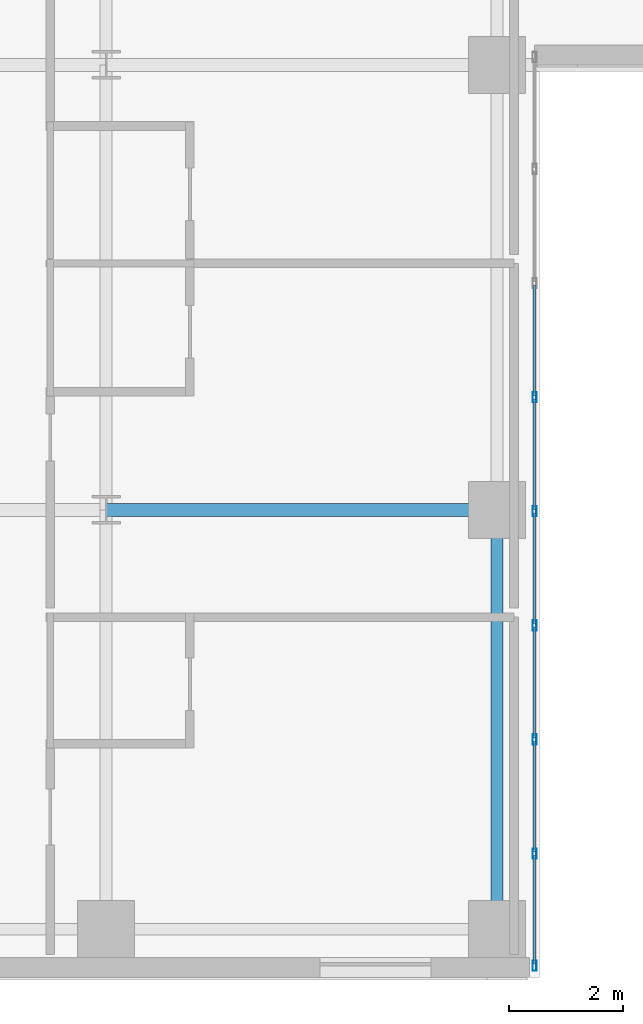
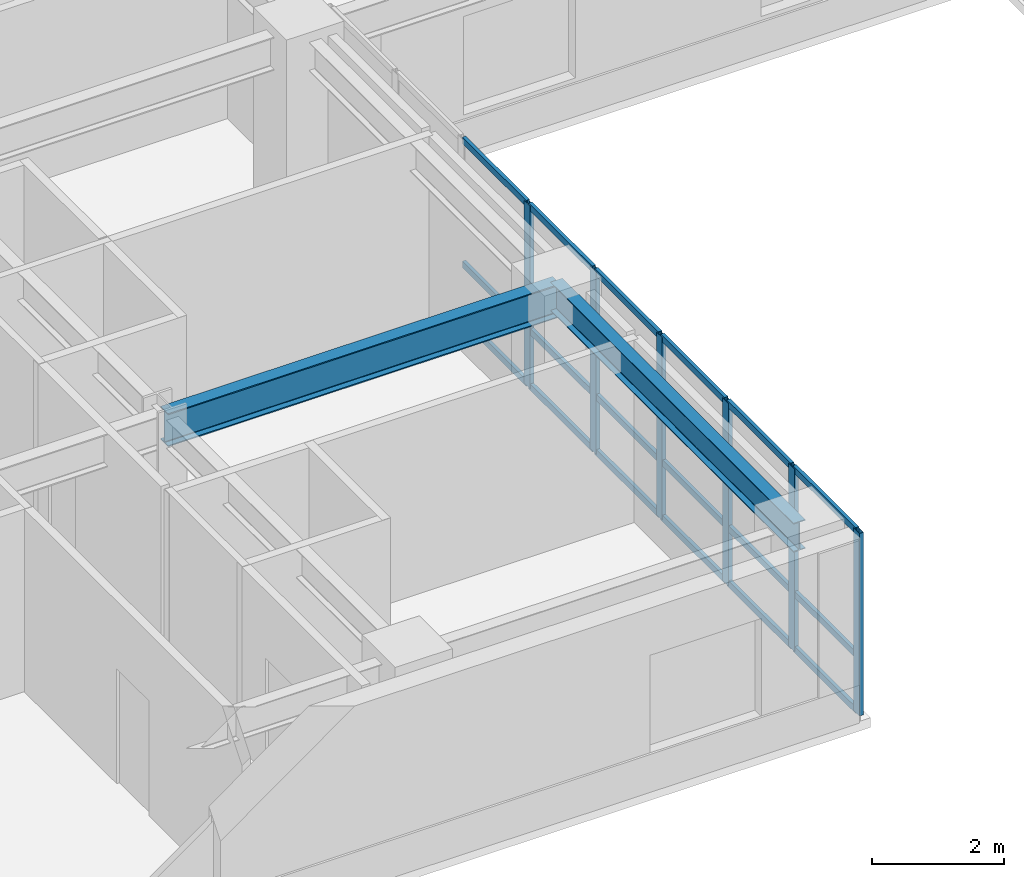
# One storey, part 2 of 24: 24 members, 2 beams, 1 element without a shape of its own.
"""IFC4 building model written with IfcOpenShell, lengths in metres."""

from ifc_helpers import new_model, si_unit, direction, frame, origin, origin_2d, place, context, subcontext, project, spatial, hollow_rectangle, i_section, extrude, source, transform, mapped, material, layer, layer_set, material_profile, profile_set, type_object, type_shapes, element, aggregate, save


model = new_model("IFC4")

# Units and contexts
model_context = context("Model", 3, precision=1e-05, world=origin(), true_north=direction((0.0, 1.0)))
body_context = subcontext(model_context, "Body", "Model", "MODEL_VIEW")
ifc_project = project(units=[si_unit("LENGTHUNIT", "METRE"), si_unit("AREAUNIT", "SQUARE_METRE"), si_unit("VOLUMEUNIT", "CUBIC_METRE"), si_unit("PLANEANGLEUNIT", "RADIAN"), si_unit("MASSUNIT", "GRAM", prefix="KILO")], contexts=[model_context])

# Site, building, storey
site_placement = place(None, origin())
site = spatial("IfcSite", under=ifc_project, at=site_placement, CompositionType="ELEMENT")
building_placement = place(site_placement, origin())
building = spatial("IfcBuilding", under=site, at=building_placement, Name="Tolvann Quenvar Hotel", CompositionType="ELEMENT")
storey_placement = place(building_placement, frame((0.0, 0.0, 67.5)))
storey = spatial("IfcBuildingStorey", under=building, at=storey_placement, Name="L16", CompositionType="ELEMENT", Elevation=67.5)

# Beams
ifc_material_1 = material(Name="Steel Grade 350", Category="steel")
ifc_material_profile_1 = material_profile(ifc_material_1, i_section(OverallWidth=0.22900390625, OverallDepth=0.612060546875, WebThickness=0.011962890625, FlangeThickness=0.01953125, FilletRadius=0.013916015625, at=origin_2d()), Name="610UB125")
ifc_profile_set_1 = profile_set([ifc_material_profile_1], Name="Steel Grade 350")
beam_type_1 = type_object("IfcBeamType", Name="BM_GIRD_610UB125", PredefinedType="BEAM", material=ifc_profile_set_1)
shared_shape_1 = source(origin(), body_context, "Body", "SweptSolid", [
    extrude(i_section(OverallWidth=0.22900390625, OverallDepth=0.612060546875, WebThickness=0.011962890625, FlangeThickness=0.01953125, FilletRadius=0.013916015625, at=origin_2d()), origin(), (0.0, 0.0, 1.0), 6.85009765625),
])
type_shapes(beam_type_1, [shared_shape_1])
beam_1_placement = place(storey_placement, frame((15.199951171875, 8.199951171875, 3.06396484375), z_axis=(1.0, 0.0, 0.0), x_axis=(0.0, 1.0, 0.0)))
element("IfcBeam", 1, at=beam_1_placement, inside=storey, type_object=beam_type_1, Name="BM-L16-EW-3-D3-E3", PredefinedType="BEAM", context=body_context, shape_type="MappedRepresentation", body=[
    mapped(shared_shape_1, transform((0.0, 0.0, 0.0), x_axis=(1.0, 0.0, 0.0), y_axis=(0.0, 1.0, 0.0), z_axis=(0.0, 0.0, 1.0), scale=1.0)),
])
ifc_material_profile_2 = material_profile(ifc_material_1, i_section(OverallWidth=0.208984375, OverallDepth=0.532958984375, WebThickness=0.01025390625, FlangeThickness=0.015625, FilletRadius=0.013916015625, at=origin_2d()), Name="530UB92")
ifc_profile_set_2 = profile_set([ifc_material_profile_2], Name="Steel Grade 350")
beam_type_2 = type_object("IfcBeamType", Name="BM_GIRD_530UB92", PredefinedType="BEAM", material=ifc_profile_set_2)
shared_shape_2 = source(origin(), body_context, "Body", "SweptSolid", [
    extrude(i_section(OverallWidth=0.208984375, OverallDepth=0.532958984375, WebThickness=0.01025390625, FlangeThickness=0.015625, FilletRadius=0.013916015625, at=origin_2d()), origin(), (0.0, 0.0, 1.0), 7.349853515625),
])
type_shapes(beam_type_2, [shared_shape_2])
beam_2_placement = place(storey_placement, frame((22.050048828125, 0.85009765625, 3.103515625), z_axis=(0.0, 1.0, 0.0), x_axis=(-1.0, 0.0, 0.0)))
element("IfcBeam", 2, at=beam_2_placement, inside=storey, type_object=beam_type_2, Name="BM-L16-NS-E2-E3", PredefinedType="BEAM", context=body_context, shape_type="MappedRepresentation", body=[
    mapped(shared_shape_2, transform((0.0, 0.0, 0.0), x_axis=(1.0, 0.0, 0.0), y_axis=(0.0, 1.0, 0.0), z_axis=(0.0, 0.0, 1.0), scale=1.0)),
])

# Curtain wall, members
ifc_material_2 = material(Name="Thermally broken anodised architectural aluminium 6063-T6 and laminated low-E glass", Category="aluminium")
ifc_layer = layer(ifc_material_2, 0.179931640625)
ifc_layer_set = layer_set([ifc_layer], Name="Thermally broken anodised architectural aluminium 6063-T6 and laminated low-E glass")
curtain_wall_type = type_object("IfcCurtainWallType", Name="CW_SYS_SLOT_03", PredefinedType="USERDEFINED", material=ifc_layer_set)
curtain_wall_placement = place(storey_placement, origin())
curtain_wall = element("IfcCurtainWall", 3, at=curtain_wall_placement, inside=storey, type_object=curtain_wall_type, Name="Curtain Wall CW-SLOT-03 (CWR-L16-E05)", ObjectType="UNITISED CURTAIN WALL", PredefinedType="USERDEFINED")
ifc_material_3 = material(Name="Anodised architectural aluminium 6063-T6 framing", Category="aluminium")
ifc_material_profile_3 = material_profile(ifc_material_3, hollow_rectangle(XDim=0.070068359375, YDim=0.179931640625, WallThickness=0.00390625, at=origin_2d()), Name="180x70x4RHS")
ifc_profile_set_3 = profile_set([ifc_material_profile_3], Name="Anodised architectural aluminium 6063-T6 framing")
member_type_1 = type_object("IfcMemberType", Name="CW_MULL_180x70", PredefinedType="MULLION", material=ifc_profile_set_3)
shared_shape_3 = source(origin(), body_context, "Body", "SweptSolid", [
    extrude(hollow_rectangle(XDim=0.070068359375, YDim=0.179931640625, WallThickness=0.00390625, at=origin_2d()), origin(), (0.0, 0.0, 1.0), 3.3701171875),
])
type_shapes(member_type_1, [shared_shape_3])
member_1_placement = place(storey_placement, frame((22.7099609375, 0.2099609375, 0.0), z_axis=(0.0, 0.0, 1.0), x_axis=(-1.0, 0.0, 0.0)))
member_1 = element("IfcMember", 4, at=member_1_placement, type_object=member_type_1, Name="CW-SLOT-03 mullion 1", PredefinedType="MULLION", context=body_context, shape_type="MappedRepresentation", body=[
    mapped(shared_shape_3, transform((0.0, 0.0, 0.0), x_axis=(1.0, 0.0, 0.0), y_axis=(0.0, 1.0, 0.0), z_axis=(0.0, 0.0, 1.0), scale=1.0)),
])
member_2_placement = place(storey_placement, frame((22.7099609375, 2.175048828125, 0.0), z_axis=(0.0, 0.0, 1.0), x_axis=(-1.0, 0.0, 0.0)))
member_2 = element("IfcMember", 5, at=member_2_placement, type_object=member_type_1, Name="CW-SLOT-03 mullion 2", PredefinedType="MULLION", context=body_context, shape_type="MappedRepresentation", body=[
    mapped(shared_shape_3, transform((0.0, 0.0, 0.0), x_axis=(1.0, 0.0, 0.0), y_axis=(0.0, 1.0, 0.0), z_axis=(0.0, 0.0, 1.0), scale=1.0)),
])
member_3_placement = place(storey_placement, frame((22.7099609375, 4.175048828125, 0.0), z_axis=(0.0, 0.0, 1.0), x_axis=(-1.0, 0.0, 0.0)))
member_3 = element("IfcMember", 6, at=member_3_placement, type_object=member_type_1, Name="CW-SLOT-03 mullion 3", PredefinedType="MULLION", context=body_context, shape_type="MappedRepresentation", body=[
    mapped(shared_shape_3, transform((0.0, 0.0, 0.0), x_axis=(1.0, 0.0, 0.0), y_axis=(0.0, 1.0, 0.0), z_axis=(0.0, 0.0, 1.0), scale=1.0)),
])
member_4_placement = place(storey_placement, frame((22.7099609375, 6.175048828125, 0.0), z_axis=(0.0, 0.0, 1.0), x_axis=(-1.0, 0.0, 0.0)))
member_4 = element("IfcMember", 7, at=member_4_placement, type_object=member_type_1, Name="CW-SLOT-03 mullion 4", PredefinedType="MULLION", context=body_context, shape_type="MappedRepresentation", body=[
    mapped(shared_shape_3, transform((0.0, 0.0, 0.0), x_axis=(1.0, 0.0, 0.0), y_axis=(0.0, 1.0, 0.0), z_axis=(0.0, 0.0, 1.0), scale=1.0)),
])
member_5_placement = place(storey_placement, frame((22.7099609375, 8.175048828125, 0.0), z_axis=(0.0, 0.0, 1.0), x_axis=(-1.0, 0.0, 0.0)))
member_5 = element("IfcMember", 8, at=member_5_placement, type_object=member_type_1, Name="CW-SLOT-03 mullion 5", PredefinedType="MULLION", context=body_context, shape_type="MappedRepresentation", body=[
    mapped(shared_shape_3, transform((0.0, 0.0, 0.0), x_axis=(1.0, 0.0, 0.0), y_axis=(0.0, 1.0, 0.0), z_axis=(0.0, 0.0, 1.0), scale=1.0)),
])
member_6_placement = place(storey_placement, frame((22.7099609375, 10.175048828125, 0.0), z_axis=(0.0, 0.0, 1.0), x_axis=(-1.0, 0.0, 0.0)))
member_6 = element("IfcMember", 9, at=member_6_placement, type_object=member_type_1, Name="CW-SLOT-03 mullion 6", PredefinedType="MULLION", context=body_context, shape_type="MappedRepresentation", body=[
    mapped(shared_shape_3, transform((0.0, 0.0, 0.0), x_axis=(1.0, 0.0, 0.0), y_axis=(0.0, 1.0, 0.0), z_axis=(0.0, 0.0, 1.0), scale=1.0)),
])
ifc_material_profile_4 = material_profile(ifc_material_3, hollow_rectangle(XDim=0.06005859375, YDim=0.1201171875, WallThickness=0.00341796875, at=origin_2d()), Name="120x60x3.5RHS")
ifc_profile_set_4 = profile_set([ifc_material_profile_4], Name="Anodised architectural aluminium 6063-T6 framing")
member_type_2 = type_object("IfcMemberType", Name="CW_TRAN_120x60", PredefinedType="USERDEFINED", material=ifc_profile_set_4)
shared_shape_4 = source(origin(), body_context, "Body", "SweptSolid", [
    extrude(hollow_rectangle(XDim=0.06005859375, YDim=0.1201171875, WallThickness=0.00341796875, at=origin_2d()), origin(), (0.0, 0.0, 1.0), 1.894775390625),
])
member_7_placement = place(storey_placement, frame((22.7099609375, 0.2451171875, 0.030029296875), z_axis=(0.0, 1.0, 0.0), x_axis=(-1.0, 0.0, 0.0)))
member_7 = element("IfcMember", 10, at=member_7_placement, type_object=member_type_2, Name="CW-SLOT-03 transom 1.1", ObjectType="TRANSOM", PredefinedType="USERDEFINED", context=body_context, shape_type="MappedRepresentation", body=[
    mapped(shared_shape_4, transform((0.0, 0.0, 0.0), x_axis=(1.0, 0.0, 0.0), y_axis=(0.0, 1.0, 0.0), z_axis=(0.0, 0.0, 1.0), scale=1.0)),
])
member_8_placement = place(storey_placement, frame((22.7099609375, 0.2451171875, 1.050048828125), z_axis=(0.0, 1.0, 0.0), x_axis=(-1.0, 0.0, 0.0)))
member_8 = element("IfcMember", 11, at=member_8_placement, type_object=member_type_2, Name="CW-SLOT-03 transom 1.2", ObjectType="TRANSOM", PredefinedType="USERDEFINED", context=body_context, shape_type="MappedRepresentation", body=[
    mapped(shared_shape_4, transform((0.0, 0.0, 0.0), x_axis=(1.0, 0.0, 0.0), y_axis=(0.0, 1.0, 0.0), z_axis=(0.0, 0.0, 1.0), scale=1.0)),
])
member_9_placement = place(storey_placement, frame((22.7099609375, 0.2451171875, 3.340087890625), z_axis=(0.0, 1.0, 0.0), x_axis=(-1.0, 0.0, 0.0)))
member_9 = element("IfcMember", 12, at=member_9_placement, type_object=member_type_2, Name="CW-SLOT-03 transom 1.3", ObjectType="TRANSOM", PredefinedType="USERDEFINED", context=body_context, shape_type="MappedRepresentation", body=[
    mapped(shared_shape_4, transform((0.0, 0.0, 0.0), x_axis=(1.0, 0.0, 0.0), y_axis=(0.0, 1.0, 0.0), z_axis=(0.0, 0.0, 1.0), scale=1.0)),
])
shared_shape_5 = source(origin(), body_context, "Body", "SweptSolid", [
    extrude(hollow_rectangle(XDim=0.06005859375, YDim=0.1201171875, WallThickness=0.00341796875, at=origin_2d()), origin(), (0.0, 0.0, 1.0), 1.929931640625),
])
type_shapes(member_type_2, [shared_shape_4, shared_shape_5])
member_10_placement = place(storey_placement, frame((22.7099609375, 2.2099609375, 0.030029296875), z_axis=(0.0, 1.0, 0.0), x_axis=(-1.0, 0.0, 0.0)))
member_10 = element("IfcMember", 13, at=member_10_placement, type_object=member_type_2, Name="CW-SLOT-03 transom 2.1", ObjectType="TRANSOM", PredefinedType="USERDEFINED", context=body_context, shape_type="MappedRepresentation", body=[
    mapped(shared_shape_5, transform((0.0, 0.0, 0.0), x_axis=(1.0, 0.0, 0.0), y_axis=(0.0, 1.0, 0.0), z_axis=(0.0, 0.0, 1.0), scale=1.0)),
])
member_11_placement = place(storey_placement, frame((22.7099609375, 2.2099609375, 1.050048828125), z_axis=(0.0, 1.0, 0.0), x_axis=(-1.0, 0.0, 0.0)))
member_11 = element("IfcMember", 14, at=member_11_placement, type_object=member_type_2, Name="CW-SLOT-03 transom 2.2", ObjectType="TRANSOM", PredefinedType="USERDEFINED", context=body_context, shape_type="MappedRepresentation", body=[
    mapped(shared_shape_5, transform((0.0, 0.0, 0.0), x_axis=(1.0, 0.0, 0.0), y_axis=(0.0, 1.0, 0.0), z_axis=(0.0, 0.0, 1.0), scale=1.0)),
])
member_12_placement = place(storey_placement, frame((22.7099609375, 2.2099609375, 3.340087890625), z_axis=(0.0, 1.0, 0.0), x_axis=(-1.0, 0.0, 0.0)))
member_12 = element("IfcMember", 15, at=member_12_placement, type_object=member_type_2, Name="CW-SLOT-03 transom 2.3", ObjectType="TRANSOM", PredefinedType="USERDEFINED", context=body_context, shape_type="MappedRepresentation", body=[
    mapped(shared_shape_5, transform((0.0, 0.0, 0.0), x_axis=(1.0, 0.0, 0.0), y_axis=(0.0, 1.0, 0.0), z_axis=(0.0, 0.0, 1.0), scale=1.0)),
])
member_13_placement = place(storey_placement, frame((22.7099609375, 4.2099609375, 0.030029296875), z_axis=(0.0, 1.0, 0.0), x_axis=(-1.0, 0.0, 0.0)))
member_13 = element("IfcMember", 16, at=member_13_placement, type_object=member_type_2, Name="CW-SLOT-03 transom 3.1", ObjectType="TRANSOM", PredefinedType="USERDEFINED", context=body_context, shape_type="MappedRepresentation", body=[
    mapped(shared_shape_5, transform((0.0, 0.0, 0.0), x_axis=(1.0, 0.0, 0.0), y_axis=(0.0, 1.0, 0.0), z_axis=(0.0, 0.0, 1.0), scale=1.0)),
])
member_14_placement = place(storey_placement, frame((22.7099609375, 4.2099609375, 1.050048828125), z_axis=(0.0, 1.0, 0.0), x_axis=(-1.0, 0.0, 0.0)))
member_14 = element("IfcMember", 17, at=member_14_placement, type_object=member_type_2, Name="CW-SLOT-03 transom 3.2", ObjectType="TRANSOM", PredefinedType="USERDEFINED", context=body_context, shape_type="MappedRepresentation", body=[
    mapped(shared_shape_5, transform((0.0, 0.0, 0.0), x_axis=(1.0, 0.0, 0.0), y_axis=(0.0, 1.0, 0.0), z_axis=(0.0, 0.0, 1.0), scale=1.0)),
])
member_15_placement = place(storey_placement, frame((22.7099609375, 4.2099609375, 3.340087890625), z_axis=(0.0, 1.0, 0.0), x_axis=(-1.0, 0.0, 0.0)))
member_15 = element("IfcMember", 18, at=member_15_placement, type_object=member_type_2, Name="CW-SLOT-03 transom 3.3", ObjectType="TRANSOM", PredefinedType="USERDEFINED", context=body_context, shape_type="MappedRepresentation", body=[
    mapped(shared_shape_5, transform((0.0, 0.0, 0.0), x_axis=(1.0, 0.0, 0.0), y_axis=(0.0, 1.0, 0.0), z_axis=(0.0, 0.0, 1.0), scale=1.0)),
])
member_16_placement = place(storey_placement, frame((22.7099609375, 6.2099609375, 0.030029296875), z_axis=(0.0, 1.0, 0.0), x_axis=(-1.0, 0.0, 0.0)))
member_16 = element("IfcMember", 19, at=member_16_placement, type_object=member_type_2, Name="CW-SLOT-03 transom 4.1", ObjectType="TRANSOM", PredefinedType="USERDEFINED", context=body_context, shape_type="MappedRepresentation", body=[
    mapped(shared_shape_5, transform((0.0, 0.0, 0.0), x_axis=(1.0, 0.0, 0.0), y_axis=(0.0, 1.0, 0.0), z_axis=(0.0, 0.0, 1.0), scale=1.0)),
])
member_17_placement = place(storey_placement, frame((22.7099609375, 6.2099609375, 1.050048828125), z_axis=(0.0, 1.0, 0.0), x_axis=(-1.0, 0.0, 0.0)))
member_17 = element("IfcMember", 20, at=member_17_placement, type_object=member_type_2, Name="CW-SLOT-03 transom 4.2", ObjectType="TRANSOM", PredefinedType="USERDEFINED", context=body_context, shape_type="MappedRepresentation", body=[
    mapped(shared_shape_5, transform((0.0, 0.0, 0.0), x_axis=(1.0, 0.0, 0.0), y_axis=(0.0, 1.0, 0.0), z_axis=(0.0, 0.0, 1.0), scale=1.0)),
])
member_18_placement = place(storey_placement, frame((22.7099609375, 6.2099609375, 3.340087890625), z_axis=(0.0, 1.0, 0.0), x_axis=(-1.0, 0.0, 0.0)))
member_18 = element("IfcMember", 21, at=member_18_placement, type_object=member_type_2, Name="CW-SLOT-03 transom 4.3", ObjectType="TRANSOM", PredefinedType="USERDEFINED", context=body_context, shape_type="MappedRepresentation", body=[
    mapped(shared_shape_5, transform((0.0, 0.0, 0.0), x_axis=(1.0, 0.0, 0.0), y_axis=(0.0, 1.0, 0.0), z_axis=(0.0, 0.0, 1.0), scale=1.0)),
])
member_19_placement = place(storey_placement, frame((22.7099609375, 8.2099609375, 0.030029296875), z_axis=(0.0, 1.0, 0.0), x_axis=(-1.0, 0.0, 0.0)))
member_19 = element("IfcMember", 22, at=member_19_placement, type_object=member_type_2, Name="CW-SLOT-03 transom 5.1", ObjectType="TRANSOM", PredefinedType="USERDEFINED", context=body_context, shape_type="MappedRepresentation", body=[
    mapped(shared_shape_5, transform((0.0, 0.0, 0.0), x_axis=(1.0, 0.0, 0.0), y_axis=(0.0, 1.0, 0.0), z_axis=(0.0, 0.0, 1.0), scale=1.0)),
])
member_20_placement = place(storey_placement, frame((22.7099609375, 8.2099609375, 1.050048828125), z_axis=(0.0, 1.0, 0.0), x_axis=(-1.0, 0.0, 0.0)))
member_20 = element("IfcMember", 23, at=member_20_placement, type_object=member_type_2, Name="CW-SLOT-03 transom 5.2", ObjectType="TRANSOM", PredefinedType="USERDEFINED", context=body_context, shape_type="MappedRepresentation", body=[
    mapped(shared_shape_5, transform((0.0, 0.0, 0.0), x_axis=(1.0, 0.0, 0.0), y_axis=(0.0, 1.0, 0.0), z_axis=(0.0, 0.0, 1.0), scale=1.0)),
])
member_21_placement = place(storey_placement, frame((22.7099609375, 8.2099609375, 3.340087890625), z_axis=(0.0, 1.0, 0.0), x_axis=(-1.0, 0.0, 0.0)))
member_21 = element("IfcMember", 24, at=member_21_placement, type_object=member_type_2, Name="CW-SLOT-03 transom 5.3", ObjectType="TRANSOM", PredefinedType="USERDEFINED", context=body_context, shape_type="MappedRepresentation", body=[
    mapped(shared_shape_5, transform((0.0, 0.0, 0.0), x_axis=(1.0, 0.0, 0.0), y_axis=(0.0, 1.0, 0.0), z_axis=(0.0, 0.0, 1.0), scale=1.0)),
])
member_22_placement = place(storey_placement, frame((22.7099609375, 10.2099609375, 0.030029296875), z_axis=(0.0, 1.0, 0.0), x_axis=(-1.0, 0.0, 0.0)))
member_22 = element("IfcMember", 25, at=member_22_placement, type_object=member_type_2, Name="CW-SLOT-03 transom 6.1", ObjectType="TRANSOM", PredefinedType="USERDEFINED", context=body_context, shape_type="MappedRepresentation", body=[
    mapped(shared_shape_5, transform((0.0, 0.0, 0.0), x_axis=(1.0, 0.0, 0.0), y_axis=(0.0, 1.0, 0.0), z_axis=(0.0, 0.0, 1.0), scale=1.0)),
])
member_23_placement = place(storey_placement, frame((22.7099609375, 10.2099609375, 1.050048828125), z_axis=(0.0, 1.0, 0.0), x_axis=(-1.0, 0.0, 0.0)))
member_23 = element("IfcMember", 26, at=member_23_placement, type_object=member_type_2, Name="CW-SLOT-03 transom 6.2", ObjectType="TRANSOM", PredefinedType="USERDEFINED", context=body_context, shape_type="MappedRepresentation", body=[
    mapped(shared_shape_5, transform((0.0, 0.0, 0.0), x_axis=(1.0, 0.0, 0.0), y_axis=(0.0, 1.0, 0.0), z_axis=(0.0, 0.0, 1.0), scale=1.0)),
])
member_24_placement = place(storey_placement, frame((22.7099609375, 10.2099609375, 3.340087890625), z_axis=(0.0, 1.0, 0.0), x_axis=(-1.0, 0.0, 0.0)))
member_24 = element("IfcMember", 27, at=member_24_placement, type_object=member_type_2, Name="CW-SLOT-03 transom 6.3", ObjectType="TRANSOM", PredefinedType="USERDEFINED", context=body_context, shape_type="MappedRepresentation", body=[
    mapped(shared_shape_5, transform((0.0, 0.0, 0.0), x_axis=(1.0, 0.0, 0.0), y_axis=(0.0, 1.0, 0.0), z_axis=(0.0, 0.0, 1.0), scale=1.0)),
])
aggregate(curtain_wall, [member_1, member_2, member_3, member_4, member_5, member_6, member_7, member_8, member_9, member_10, member_11, member_12, member_13, member_14, member_15, member_16, member_17, member_18, member_19, member_20, member_21, member_22, member_23, member_24])

save(model, "model.ifc")
